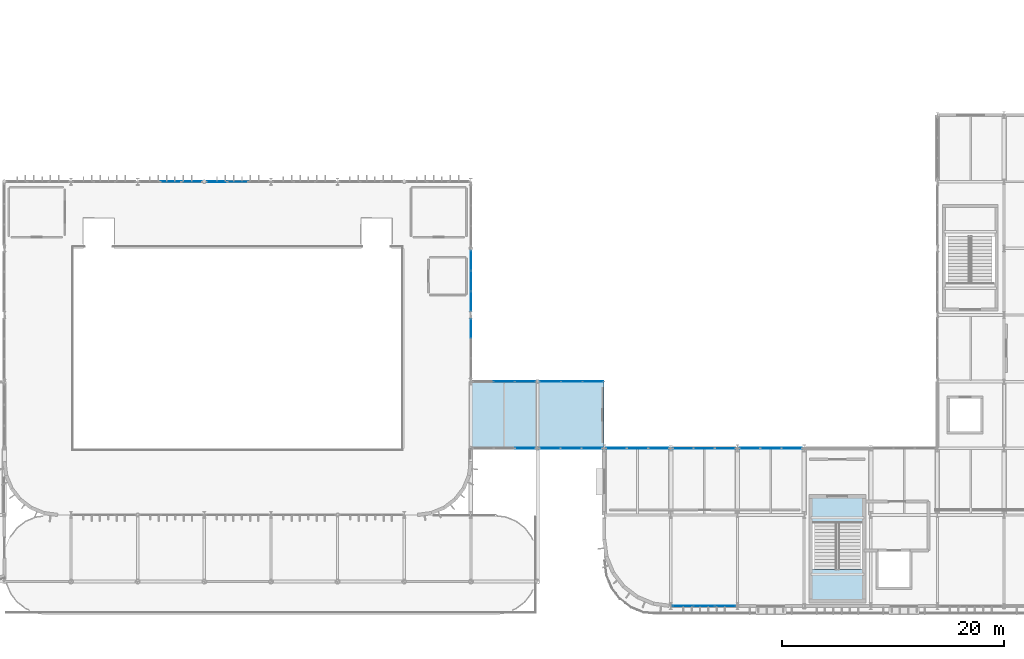
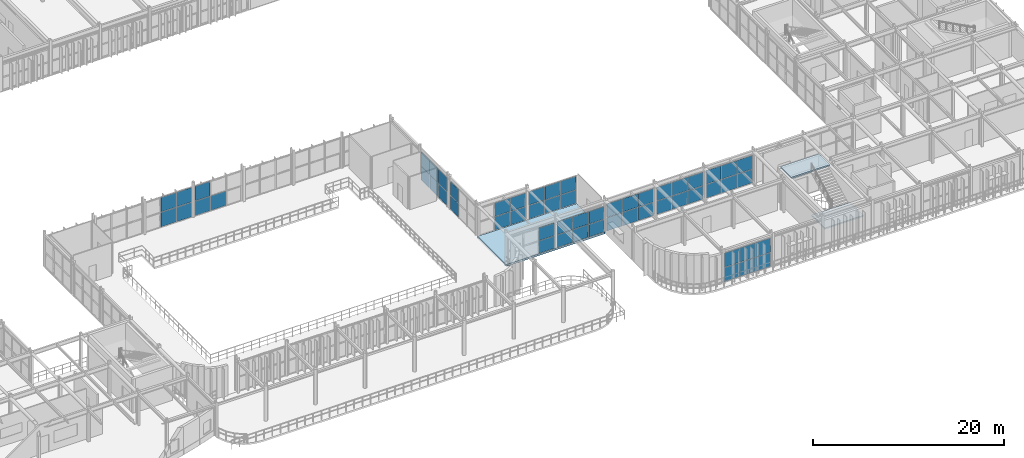
# One storey, part 58 of 96: 57 plates, 3 slabs, 13 elements without a shape of their own.
"""IFC4 building model written with IfcOpenShell, lengths in metres."""

from ifc_helpers import new_model, si_unit, direction, frame, origin, origin_2d, place, context, subcontext, project, spatial, polyline, rectangle, outline, extrude, material, layer, layer_set, type_object, element, aggregate, save


model = new_model("IFC4")

# Units and contexts
model_context = context("Model", 3, precision=1e-05, world=origin(), true_north=direction((0.0, 1.0)))
body_context = subcontext(model_context, "Body", "Model", "MODEL_VIEW")
ifc_project = project(units=[si_unit("LENGTHUNIT", "METRE"), si_unit("AREAUNIT", "SQUARE_METRE"), si_unit("VOLUMEUNIT", "CUBIC_METRE"), si_unit("PLANEANGLEUNIT", "RADIAN"), si_unit("MASSUNIT", "GRAM", prefix="KILO")], contexts=[model_context])

# Site, building, storey
site_placement = place(None, origin())
site = spatial("IfcSite", under=ifc_project, at=site_placement, CompositionType="ELEMENT")
building_placement = place(site_placement, origin())
building = spatial("IfcBuilding", under=site, at=building_placement, Name="Varnakota Square Police Headquarters", CompositionType="ELEMENT")
storey_placement = place(building_placement, frame((0.0, 0.0, 4.800048828125)))
storey = spatial("IfcBuildingStorey", under=building, at=storey_placement, Name="L01", CompositionType="ELEMENT", Elevation=4.800048828125)

# Curtain wall, plates
ifc_material_1 = material(Name="Anodised Aluminium Framing", Category="aluminium")
curtain_wall_type_1 = type_object("IfcCurtainWallType", Name="CW-SYS-B", PredefinedType="NOTDEFINED", material=ifc_material_1)
curtain_wall_1_placement = place(storey_placement, origin())
curtain_wall_1 = element("IfcCurtainWall", 1, at=curtain_wall_1_placement, inside=storey, type_object=curtain_wall_type_1, Name="Unitised curtain wall CWG-L01-023", PredefinedType="NOTDEFINED")
ifc_material_2 = material(Name="Solar-Control Laminated Double Glazing", Category="glass")
ifc_layer_1 = layer(ifc_material_2, 0.028076171875, Name="Solar-Control Laminated Double Glazing")
ifc_layer_set_1 = layer_set([ifc_layer_1], Name="Solar-Control Laminated Double Glazing")
plate_type_1 = type_object("IfcPlateType", Name="CWP-GLZ-28", PredefinedType="CURTAIN_PANEL", material=ifc_layer_set_1)
plate_1_placement = place(storey_placement, frame((68.9814453125, 39.0, 0.06494140625), z_axis=(0.0, 0.0, 1.0), x_axis=(1.0, 0.0, 0.0)))
plate_1 = element("IfcPlate", 2, at=plate_1_placement, type_object=plate_type_1, Name="CWG-L01-023 panel 2.1", PredefinedType="CURTAIN_PANEL", context=body_context, shape_type="SweptSolid", body=[
    extrude(rectangle(XDim=1.8359375, YDim=0.028076171875, at=origin_2d()), origin(), (0.0, 0.0, 1.0), 1.847412109375),
])
plate_2_placement = place(storey_placement, frame((70.866455078125, 39.0, 0.06494140625), z_axis=(0.0, 0.0, 1.0), x_axis=(1.0, 0.0, 0.0)))
plate_2 = element("IfcPlate", 3, at=plate_2_placement, type_object=plate_type_1, Name="CWG-L01-023 panel 3.1", PredefinedType="CURTAIN_PANEL", context=body_context, shape_type="SweptSolid", body=[
    extrude(rectangle(XDim=1.803466796875, YDim=0.028076171875, at=origin_2d()), origin(), (0.0, 0.0, 1.0), 1.847412109375),
])

curtain_wall_2_placement = place(storey_placement, origin())
curtain_wall_2 = element("IfcCurtainWall", 4, at=curtain_wall_2_placement, inside=storey, type_object=curtain_wall_type_1, Name="Unitised curtain wall CWG-L01-055", PredefinedType="NOTDEFINED")
plate_3_placement = place(storey_placement, frame((115.10302734375, 0.800048828125, 0.06494140625), z_axis=(0.0, 0.0, 1.0), x_axis=(1.0, 0.0, 0.0)))
plate_3 = element("IfcPlate", 5, at=plate_3_placement, type_object=plate_type_1, Name="CWG-L01-055 panel 1.1", PredefinedType="CURTAIN_PANEL", context=body_context, shape_type="SweptSolid", body=[
    extrude(rectangle(XDim=1.81591796875, YDim=0.028076171875, at=origin_2d()), origin(), (0.0, 0.0, 1.0), 1.797607421875),
])
plate_4_placement = place(storey_placement, frame((117.0, 0.800048828125, 0.06494140625), z_axis=(0.0, 0.0, 1.0), x_axis=(1.0, 0.0, 0.0)))
plate_4 = element("IfcPlate", 6, at=plate_4_placement, type_object=plate_type_1, Name="CWG-L01-055 panel 2.1", PredefinedType="CURTAIN_PANEL", context=body_context, shape_type="SweptSolid", body=[
    extrude(rectangle(XDim=1.848388671875, YDim=0.028076171875, at=origin_2d()), origin(), (0.0, 0.0, 1.0), 1.797607421875),
])
plate_5_placement = place(storey_placement, frame((118.89697265625, 0.800048828125, 0.06494140625), z_axis=(0.0, 0.0, 1.0), x_axis=(1.0, 0.0, 0.0)))
plate_5 = element("IfcPlate", 7, at=plate_5_placement, type_object=plate_type_1, Name="CWG-L01-055 panel 3.1", PredefinedType="CURTAIN_PANEL", context=body_context, shape_type="SweptSolid", body=[
    extrude(rectangle(XDim=1.81591796875, YDim=0.028076171875, at=origin_2d()), origin(), (0.0, 0.0, 1.0), 1.797607421875),
])

curtain_wall_type_2 = type_object("IfcCurtainWallType", Name="CW-SYS-D", PredefinedType="NOTDEFINED", material=ifc_material_1)
curtain_wall_3_placement = place(storey_placement, origin())
curtain_wall_3 = element("IfcCurtainWall", 8, at=curtain_wall_3_placement, inside=storey, type_object=curtain_wall_type_2, Name="Unitised curtain wall CWG-L01-059", PredefinedType="NOTDEFINED")
plate_6_placement = place(storey_placement, frame((115.10302734375, 15.0, 0.06494140625), z_axis=(0.0, 0.0, 1.0), x_axis=(1.0, 0.0, 0.0)))
plate_6 = element("IfcPlate", 9, at=plate_6_placement, type_object=plate_type_1, Name="CWG-L01-059 panel 1.1", PredefinedType="CURTAIN_PANEL", context=body_context, shape_type="SweptSolid", body=[
    extrude(rectangle(XDim=1.81591796875, YDim=0.028076171875, at=origin_2d()), origin(), (0.0, 0.0, 1.0), 1.697509765625),
])
plate_7_placement = place(storey_placement, frame((117.0, 15.0, 0.06494140625), z_axis=(0.0, 0.0, 1.0), x_axis=(1.0, 0.0, 0.0)))
plate_7 = element("IfcPlate", 10, at=plate_7_placement, type_object=plate_type_1, Name="CWG-L01-059 panel 2.1", PredefinedType="CURTAIN_PANEL", context=body_context, shape_type="SweptSolid", body=[
    extrude(rectangle(XDim=1.848388671875, YDim=0.028076171875, at=origin_2d()), origin(), (0.0, 0.0, 1.0), 1.697509765625),
])
plate_8_placement = place(storey_placement, frame((118.89697265625, 15.0, 0.06494140625), z_axis=(0.0, 0.0, 1.0), x_axis=(1.0, 0.0, 0.0)))
plate_8 = element("IfcPlate", 11, at=plate_8_placement, type_object=plate_type_1, Name="CWG-L01-059 panel 3.1", PredefinedType="CURTAIN_PANEL", context=body_context, shape_type="SweptSolid", body=[
    extrude(rectangle(XDim=1.81591796875, YDim=0.028076171875, at=origin_2d()), origin(), (0.0, 0.0, 1.0), 1.697509765625),
])

curtain_wall_type_3 = type_object("IfcCurtainWallType", Name="CW-SYS-E", PredefinedType="NOTDEFINED", material=ifc_material_1)
curtain_wall_4_placement = place(storey_placement, origin())
curtain_wall_4 = element("IfcCurtainWall", 12, at=curtain_wall_4_placement, inside=storey, type_object=curtain_wall_type_3, Name="Unitised curtain wall CWG-L01-219", PredefinedType="NOTDEFINED")
plate_9_placement = place(storey_placement, frame((103.1455078125, 21.0, 0.06494140625), z_axis=(0.0, 0.0, 1.0), x_axis=(1.0, 0.0, 0.0)))
plate_9 = element("IfcPlate", 13, at=plate_9_placement, type_object=plate_type_1, Name="CWG-L01-219 panel 1.1", PredefinedType="CURTAIN_PANEL", context=body_context, shape_type="SweptSolid", body=[
    extrude(rectangle(XDim=1.850830078125, YDim=0.028076171875, at=origin_2d()), origin(), (0.0, 0.0, 1.0), 1.697509765625),
])
plate_10_placement = place(storey_placement, frame((105.077392578125, 21.0, 0.06494140625), z_axis=(0.0, 0.0, 1.0), x_axis=(1.0, 0.0, 0.0)))
plate_10 = element("IfcPlate", 14, at=plate_10_placement, type_object=plate_type_1, Name="CWG-L01-219 panel 2.1", PredefinedType="CURTAIN_PANEL", context=body_context, shape_type="SweptSolid", body=[
    extrude(rectangle(XDim=1.88330078125, YDim=0.028076171875, at=origin_2d()), origin(), (0.0, 0.0, 1.0), 1.697509765625),
])
plate_11_placement = place(storey_placement, frame((107.009521484375, 21.0, 0.06494140625), z_axis=(0.0, 0.0, 1.0), x_axis=(1.0, 0.0, 0.0)))
plate_11 = element("IfcPlate", 15, at=plate_11_placement, type_object=plate_type_1, Name="CWG-L01-219 panel 3.1", PredefinedType="CURTAIN_PANEL", context=body_context, shape_type="SweptSolid", body=[
    extrude(rectangle(XDim=1.850830078125, YDim=0.028076171875, at=origin_2d()), origin(), (0.0, 0.0, 1.0), 1.697509765625),
])

curtain_wall_5_placement = place(storey_placement, origin())
curtain_wall_5 = element("IfcCurtainWall", 16, at=curtain_wall_5_placement, inside=storey, type_object=curtain_wall_type_1, Name="Unitised curtain wall CWG-L01-024", PredefinedType="NOTDEFINED")
ifc_material_3 = material(Name="Acoustic Laminated Double Glazing", Category="glass")
ifc_layer_2 = layer(ifc_material_3, 0.031982421875, Name="Acoustic Laminated Double Glazing")
ifc_layer_set_2 = layer_set([ifc_layer_2], Name="Acoustic Laminated Double Glazing")
plate_type_2 = type_object("IfcPlateType", Name="CWP-GLZ-32", PredefinedType="CURTAIN_PANEL", material=ifc_layer_set_2)
plate_12_placement = place(storey_placement, frame((73.133544921875, 39.0, 0.06494140625), z_axis=(0.0, 0.0, 1.0), x_axis=(1.0, 0.0, 0.0)))
plate_12 = element("IfcPlate", 17, at=plate_12_placement, type_object=plate_type_2, Name="CWG-L01-024 panel 1.1", PredefinedType="CURTAIN_PANEL", context=body_context, shape_type="SweptSolid", body=[
    extrude(rectangle(XDim=1.803466796875, YDim=0.031982421875, at=origin_2d()), origin(), (0.0, 0.0, 1.0), 1.847412109375),
])
plate_13_placement = place(storey_placement, frame((75.0185546875, 39.0, 0.06494140625), z_axis=(0.0, 0.0, 1.0), x_axis=(1.0, 0.0, 0.0)))
plate_13 = element("IfcPlate", 18, at=plate_13_placement, type_object=plate_type_2, Name="CWG-L01-024 panel 2.1", PredefinedType="CURTAIN_PANEL", context=body_context, shape_type="SweptSolid", body=[
    extrude(rectangle(XDim=1.8359375, YDim=0.031982421875, at=origin_2d()), origin(), (0.0, 0.0, 1.0), 1.847412109375),
])

curtain_wall_6_placement = place(storey_placement, origin())
curtain_wall_6 = element("IfcCurtainWall", 19, at=curtain_wall_6_placement, inside=storey, type_object=curtain_wall_type_1, Name="Unitised curtain wall CWG-L01-032", PredefinedType="NOTDEFINED")
plate_14_placement = place(storey_placement, frame((96.0, 28.24267578125, 0.06494140625), z_axis=(0.0, 0.0, 1.0), x_axis=(0.0, 1.0, 0.0)))
plate_14 = element("IfcPlate", 20, at=plate_14_placement, type_object=plate_type_2, Name="CWG-L01-032 panel 1.1", PredefinedType="CURTAIN_PANEL", context=body_context, shape_type="SweptSolid", body=[
    extrude(rectangle(XDim=1.7451171875, YDim=0.031982421875, at=origin_2d()), origin(), (0.0, 0.0, 1.0), 1.7724609375),
])
plate_15_placement = place(storey_placement, frame((96.0, 30.069091796875, 0.06494140625), z_axis=(0.0, 0.0, 1.0), x_axis=(0.0, 1.0, 0.0)))
plate_15 = element("IfcPlate", 21, at=plate_15_placement, type_object=plate_type_2, Name="CWG-L01-032 panel 2.1", PredefinedType="CURTAIN_PANEL", context=body_context, shape_type="SweptSolid", body=[
    extrude(rectangle(XDim=1.777587890625, YDim=0.031982421875, at=origin_2d()), origin(), (0.0, 0.0, 1.0), 1.7724609375),
])
plate_16_placement = place(storey_placement, frame((96.0, 31.8955078125, 0.06494140625), z_axis=(0.0, 0.0, 1.0), x_axis=(0.0, 1.0, 0.0)))
plate_16 = element("IfcPlate", 22, at=plate_16_placement, type_object=plate_type_2, Name="CWG-L01-032 panel 3.1", PredefinedType="CURTAIN_PANEL", context=body_context, shape_type="SweptSolid", body=[
    extrude(rectangle(XDim=1.7451171875, YDim=0.031982421875, at=origin_2d()), origin(), (0.0, 0.0, 1.0), 1.7724609375),
])

curtain_wall_7_placement = place(storey_placement, origin())
curtain_wall_7 = element("IfcCurtainWall", 23, at=curtain_wall_7_placement, inside=storey, type_object=curtain_wall_type_2, Name="Unitised curtain wall CWG-L01-060", PredefinedType="NOTDEFINED")
plate_17_placement = place(storey_placement, frame((121.10302734375, 15.0, 0.06494140625), z_axis=(0.0, 0.0, 1.0), x_axis=(1.0, 0.0, 0.0)))
plate_17 = element("IfcPlate", 24, at=plate_17_placement, type_object=plate_type_2, Name="CWG-L01-060 panel 1.1", PredefinedType="CURTAIN_PANEL", context=body_context, shape_type="SweptSolid", body=[
    extrude(rectangle(XDim=1.81591796875, YDim=0.031982421875, at=origin_2d()), origin(), (0.0, 0.0, 1.0), 1.722412109375),
])
plate_18_placement = place(storey_placement, frame((123.0, 15.0, 0.06494140625), z_axis=(0.0, 0.0, 1.0), x_axis=(1.0, 0.0, 0.0)))
plate_18 = element("IfcPlate", 25, at=plate_18_placement, type_object=plate_type_2, Name="CWG-L01-060 panel 2.1", PredefinedType="CURTAIN_PANEL", context=body_context, shape_type="SweptSolid", body=[
    extrude(rectangle(XDim=1.848388671875, YDim=0.031982421875, at=origin_2d()), origin(), (0.0, 0.0, 1.0), 1.722412109375),
])
plate_19_placement = place(storey_placement, frame((124.89697265625, 15.0, 0.06494140625), z_axis=(0.0, 0.0, 1.0), x_axis=(1.0, 0.0, 0.0)))
plate_19 = element("IfcPlate", 26, at=plate_19_placement, type_object=plate_type_2, Name="CWG-L01-060 panel 3.1", PredefinedType="CURTAIN_PANEL", context=body_context, shape_type="SweptSolid", body=[
    extrude(rectangle(XDim=1.81591796875, YDim=0.031982421875, at=origin_2d()), origin(), (0.0, 0.0, 1.0), 1.722412109375),
])

# Curtain wall, plate
curtain_wall_8_placement = place(storey_placement, origin())
curtain_wall_8 = element("IfcCurtainWall", 27, at=curtain_wall_8_placement, inside=storey, type_object=curtain_wall_type_3, Name="Unitised curtain wall CWG-L01-216", PredefinedType="NOTDEFINED")
plate_20_placement = place(storey_placement, frame((100.88232421875, 15.0, 0.06494140625), z_axis=(0.0, 0.0, 1.0), x_axis=(1.0, 0.0, 0.0)))
plate_20 = element("IfcPlate", 28, at=plate_20_placement, type_object=plate_type_2, Name="CWG-L01-216 panel 3.1", PredefinedType="CURTAIN_PANEL", context=body_context, shape_type="SweptSolid", body=[
    extrude(rectangle(XDim=1.795166015625, YDim=0.031982421875, at=origin_2d()), origin(), (0.0, 0.0, 1.0), 1.597412109375),
])

# Curtain wall, plates
curtain_wall_9_placement = place(storey_placement, origin())
curtain_wall_9 = element("IfcCurtainWall", 29, at=curtain_wall_9_placement, inside=storey, type_object=curtain_wall_type_3, Name="Unitised curtain wall CWG-L01-217", PredefinedType="NOTDEFINED")
ifc_material_4 = material(Name="Blast-Resistant Laminated Glazing", Category="glass")
ifc_layer_3 = layer(ifc_material_4, 0.035888671875, Name="Blast-Resistant Laminated Glazing")
ifc_layer_set_3 = layer_set([ifc_layer_3], Name="Blast-Resistant Laminated Glazing")
plate_type_3 = type_object("IfcPlateType", Name="CWP-GLZ-36", PredefinedType="CURTAIN_PANEL", material=ifc_layer_set_3)
plate_21_placement = place(storey_placement, frame((98.987548828125, 21.0, 0.06494140625), z_axis=(0.0, 0.0, 1.0), x_axis=(1.0, 0.0, 0.0)))
plate_21 = element("IfcPlate", 30, at=plate_21_placement, type_object=plate_type_3, Name="CWG-L01-217 panel 2.1", PredefinedType="CURTAIN_PANEL", context=body_context, shape_type="SweptSolid", body=[
    extrude(rectangle(XDim=1.840087890625, YDim=0.035888671875, at=origin_2d()), origin(), (0.0, 0.0, 1.0), 1.697509765625),
])
plate_22_placement = place(storey_placement, frame((100.876220703125, 21.0, 0.06494140625), z_axis=(0.0, 0.0, 1.0), x_axis=(1.0, 0.0, 0.0)))
plate_22 = element("IfcPlate", 31, at=plate_22_placement, type_object=plate_type_3, Name="CWG-L01-217 panel 3.1", PredefinedType="CURTAIN_PANEL", context=body_context, shape_type="SweptSolid", body=[
    extrude(rectangle(XDim=1.8076171875, YDim=0.035888671875, at=origin_2d()), origin(), (0.0, 0.0, 1.0), 1.697509765625),
])

# Curtain wall, plate
curtain_wall_10_placement = place(storey_placement, origin())
curtain_wall_10 = element("IfcCurtainWall", 32, at=curtain_wall_10_placement, inside=storey, type_object=curtain_wall_type_1, Name="Unitised curtain wall CWG-L01-030", PredefinedType="NOTDEFINED")
ifc_material_5 = material(Name="Triple-Glazed Clean-Lab Vision Unit", Category="aluminium")
ifc_layer_4 = layer(ifc_material_5, 0.0419921875, Name="Triple-Glazed Clean-Lab Vision Unit")
ifc_layer_set_4 = layer_set([ifc_layer_4], Name="Triple-Glazed Clean-Lab Vision Unit")
plate_type_4 = type_object("IfcPlateType", Name="CWP-GLZ-42", PredefinedType="CURTAIN_PANEL", material=ifc_layer_set_4)
plate_23_placement = place(storey_placement, frame((96.0, 25.780517578125, 0.06494140625), z_axis=(0.0, 0.0, 1.0), x_axis=(0.0, 1.0, 0.0)))
plate_23 = element("IfcPlate", 33, at=plate_23_placement, type_object=plate_type_4, Name="CWG-L01-030 panel 3.1", PredefinedType="CURTAIN_PANEL", context=body_context, shape_type="SweptSolid", body=[
    extrude(rectangle(XDim=1.69921875, YDim=0.0419921875, at=origin_2d()), origin(), (0.0, 0.0, 1.0), 1.74755859375),
])

# Curtain wall, plates
curtain_wall_11_placement = place(storey_placement, origin())
curtain_wall_11 = element("IfcCurtainWall", 34, at=curtain_wall_11_placement, inside=storey, type_object=curtain_wall_type_2, Name="Unitised curtain wall CWG-L01-058", PredefinedType="NOTDEFINED")
plate_24_placement = place(storey_placement, frame((109.10302734375, 15.0, 0.06494140625), z_axis=(0.0, 0.0, 1.0), x_axis=(1.0, 0.0, 0.0)))
plate_24 = element("IfcPlate", 35, at=plate_24_placement, type_object=plate_type_4, Name="CWG-L01-058 panel 1.1", PredefinedType="CURTAIN_PANEL", context=body_context, shape_type="SweptSolid", body=[
    extrude(rectangle(XDim=1.81591796875, YDim=0.0419921875, at=origin_2d()), origin(), (0.0, 0.0, 1.0), 1.697509765625),
])
plate_25_placement = place(storey_placement, frame((111.0, 15.0, 0.06494140625), z_axis=(0.0, 0.0, 1.0), x_axis=(1.0, 0.0, 0.0)))
plate_25 = element("IfcPlate", 36, at=plate_25_placement, type_object=plate_type_4, Name="CWG-L01-058 panel 2.1", PredefinedType="CURTAIN_PANEL", context=body_context, shape_type="SweptSolid", body=[
    extrude(rectangle(XDim=1.848388671875, YDim=0.0419921875, at=origin_2d()), origin(), (0.0, 0.0, 1.0), 1.697509765625),
])
plate_26_placement = place(storey_placement, frame((112.89697265625, 15.0, 0.06494140625), z_axis=(0.0, 0.0, 1.0), x_axis=(1.0, 0.0, 0.0)))
plate_26 = element("IfcPlate", 37, at=plate_26_placement, type_object=plate_type_4, Name="CWG-L01-058 panel 3.1", PredefinedType="CURTAIN_PANEL", context=body_context, shape_type="SweptSolid", body=[
    extrude(rectangle(XDim=1.81591796875, YDim=0.0419921875, at=origin_2d()), origin(), (0.0, 0.0, 1.0), 1.697509765625),
])

curtain_wall_12_placement = place(storey_placement, origin())
curtain_wall_12 = element("IfcCurtainWall", 38, at=curtain_wall_12_placement, inside=storey, type_object=curtain_wall_type_3, Name="Unitised curtain wall CWG-L01-218", PredefinedType="NOTDEFINED")
plate_27_placement = place(storey_placement, frame((103.123779296875, 15.0, 0.06494140625), z_axis=(0.0, 0.0, 1.0), x_axis=(1.0, 0.0, 0.0)))
plate_27 = element("IfcPlate", 39, at=plate_27_placement, type_object=plate_type_4, Name="CWG-L01-218 panel 1.1", PredefinedType="CURTAIN_PANEL", context=body_context, shape_type="SweptSolid", body=[
    extrude(rectangle(XDim=1.8076171875, YDim=0.0419921875, at=origin_2d()), origin(), (0.0, 0.0, 1.0), 1.597412109375),
])
plate_28_placement = place(storey_placement, frame((105.012451171875, 15.0, 0.06494140625), z_axis=(0.0, 0.0, 1.0), x_axis=(1.0, 0.0, 0.0)))
plate_28 = element("IfcPlate", 40, at=plate_28_placement, type_object=plate_type_4, Name="CWG-L01-218 panel 2.1", PredefinedType="CURTAIN_PANEL", context=body_context, shape_type="SweptSolid", body=[
    extrude(rectangle(XDim=1.840087890625, YDim=0.0419921875, at=origin_2d()), origin(), (0.0, 0.0, 1.0), 1.597412109375),
])
plate_29_placement = place(storey_placement, frame((106.9013671875, 15.0, 0.06494140625), z_axis=(0.0, 0.0, 1.0), x_axis=(1.0, 0.0, 0.0)))
plate_29 = element("IfcPlate", 41, at=plate_29_placement, type_object=plate_type_4, Name="CWG-L01-218 panel 3.1", PredefinedType="CURTAIN_PANEL", context=body_context, shape_type="SweptSolid", body=[
    extrude(rectangle(XDim=1.8076171875, YDim=0.0419921875, at=origin_2d()), origin(), (0.0, 0.0, 1.0), 1.597412109375),
])

# Plate
ifc_material_6 = material(Name="Insulated Anodised Aluminium Spandrel Panel", Category="aluminium")
ifc_layer_5 = layer(ifc_material_6, 0.050048828125, Name="Insulated Anodised Aluminium Spandrel Panel")
ifc_layer_set_5 = layer_set([ifc_layer_5], Name="Insulated Anodised Aluminium Spandrel Panel")
plate_type_5 = type_object("IfcPlateType", Name="CWP-SPN-50", PredefinedType="CURTAIN_PANEL", material=ifc_layer_set_5)
plate_30_placement = place(storey_placement, frame((68.9814453125, 39.0, 1.9775390625), z_axis=(0.0, 0.0, 1.0), x_axis=(1.0, 0.0, 0.0)))
plate_30 = element("IfcPlate", 42, at=plate_30_placement, type_object=plate_type_5, Name="CWG-L01-023 panel 2.2", PredefinedType="CURTAIN_PANEL", context=body_context, shape_type="SweptSolid", body=[
    extrude(rectangle(XDim=1.8359375, YDim=0.050048828125, at=origin_2d()), origin(), (0.0, 0.0, 1.0), 1.847412109375),
])

plate_31_placement = place(storey_placement, frame((70.866455078125, 39.0, 1.9775390625), z_axis=(0.0, 0.0, 1.0), x_axis=(1.0, 0.0, 0.0)))
plate_31 = element("IfcPlate", 43, at=plate_31_placement, type_object=plate_type_5, Name="CWG-L01-023 panel 3.2", PredefinedType="CURTAIN_PANEL", context=body_context, shape_type="SweptSolid", body=[
    extrude(rectangle(XDim=1.803466796875, YDim=0.050048828125, at=origin_2d()), origin(), (0.0, 0.0, 1.0), 1.847412109375),
])

aggregate(curtain_wall_1, [plate_1, plate_30, plate_2, plate_31])

plate_32_placement = place(storey_placement, frame((115.10302734375, 0.800048828125, 1.92724609375), z_axis=(0.0, 0.0, 1.0), x_axis=(1.0, 0.0, 0.0)))
plate_32 = element("IfcPlate", 44, at=plate_32_placement, type_object=plate_type_5, Name="CWG-L01-055 panel 1.2", PredefinedType="CURTAIN_PANEL", context=body_context, shape_type="SweptSolid", body=[
    extrude(rectangle(XDim=1.81591796875, YDim=0.050048828125, at=origin_2d()), origin(), (0.0, 0.0, 1.0), 1.797607421875),
])

plate_33_placement = place(storey_placement, frame((117.0, 0.800048828125, 1.92724609375), z_axis=(0.0, 0.0, 1.0), x_axis=(1.0, 0.0, 0.0)))
plate_33 = element("IfcPlate", 45, at=plate_33_placement, type_object=plate_type_5, Name="CWG-L01-055 panel 2.2", PredefinedType="CURTAIN_PANEL", context=body_context, shape_type="SweptSolid", body=[
    extrude(rectangle(XDim=1.848388671875, YDim=0.050048828125, at=origin_2d()), origin(), (0.0, 0.0, 1.0), 1.797607421875),
])

plate_34_placement = place(storey_placement, frame((118.89697265625, 0.800048828125, 1.92724609375), z_axis=(0.0, 0.0, 1.0), x_axis=(1.0, 0.0, 0.0)))
plate_34 = element("IfcPlate", 46, at=plate_34_placement, type_object=plate_type_5, Name="CWG-L01-055 panel 3.2", PredefinedType="CURTAIN_PANEL", context=body_context, shape_type="SweptSolid", body=[
    extrude(rectangle(XDim=1.81591796875, YDim=0.050048828125, at=origin_2d()), origin(), (0.0, 0.0, 1.0), 1.797607421875),
])

aggregate(curtain_wall_2, [plate_3, plate_32, plate_4, plate_33, plate_5, plate_34])

plate_35_placement = place(storey_placement, frame((115.10302734375, 15.0, 1.82763671875), z_axis=(0.0, 0.0, 1.0), x_axis=(1.0, 0.0, 0.0)))
plate_35 = element("IfcPlate", 47, at=plate_35_placement, type_object=plate_type_5, Name="CWG-L01-059 panel 1.2", PredefinedType="CURTAIN_PANEL", context=body_context, shape_type="SweptSolid", body=[
    extrude(rectangle(XDim=1.81591796875, YDim=0.050048828125, at=origin_2d()), origin(), (0.0, 0.0, 1.0), 1.697509765625),
])

plate_36_placement = place(storey_placement, frame((117.0, 15.0, 1.82763671875), z_axis=(0.0, 0.0, 1.0), x_axis=(1.0, 0.0, 0.0)))
plate_36 = element("IfcPlate", 48, at=plate_36_placement, type_object=plate_type_5, Name="CWG-L01-059 panel 2.2", PredefinedType="CURTAIN_PANEL", context=body_context, shape_type="SweptSolid", body=[
    extrude(rectangle(XDim=1.848388671875, YDim=0.050048828125, at=origin_2d()), origin(), (0.0, 0.0, 1.0), 1.697509765625),
])

plate_37_placement = place(storey_placement, frame((118.89697265625, 15.0, 1.82763671875), z_axis=(0.0, 0.0, 1.0), x_axis=(1.0, 0.0, 0.0)))
plate_37 = element("IfcPlate", 49, at=plate_37_placement, type_object=plate_type_5, Name="CWG-L01-059 panel 3.2", PredefinedType="CURTAIN_PANEL", context=body_context, shape_type="SweptSolid", body=[
    extrude(rectangle(XDim=1.81591796875, YDim=0.050048828125, at=origin_2d()), origin(), (0.0, 0.0, 1.0), 1.697509765625),
])

aggregate(curtain_wall_3, [plate_6, plate_35, plate_7, plate_36, plate_8, plate_37])

plate_38_placement = place(storey_placement, frame((98.987548828125, 21.0, 1.82763671875), z_axis=(0.0, 0.0, 1.0), x_axis=(1.0, 0.0, 0.0)))
plate_38 = element("IfcPlate", 50, at=plate_38_placement, type_object=plate_type_5, Name="CWG-L01-217 panel 2.2", PredefinedType="CURTAIN_PANEL", context=body_context, shape_type="SweptSolid", body=[
    extrude(rectangle(XDim=1.840087890625, YDim=0.050048828125, at=origin_2d()), origin(), (0.0, 0.0, 1.0), 1.697509765625),
])

plate_39_placement = place(storey_placement, frame((100.876220703125, 21.0, 1.82763671875), z_axis=(0.0, 0.0, 1.0), x_axis=(1.0, 0.0, 0.0)))
plate_39 = element("IfcPlate", 51, at=plate_39_placement, type_object=plate_type_5, Name="CWG-L01-217 panel 3.2", PredefinedType="CURTAIN_PANEL", context=body_context, shape_type="SweptSolid", body=[
    extrude(rectangle(XDim=1.8076171875, YDim=0.050048828125, at=origin_2d()), origin(), (0.0, 0.0, 1.0), 1.697509765625),
])

aggregate(curtain_wall_9, [plate_21, plate_38, plate_22, plate_39])

plate_40_placement = place(storey_placement, frame((103.1455078125, 21.0, 1.82763671875), z_axis=(0.0, 0.0, 1.0), x_axis=(1.0, 0.0, 0.0)))
plate_40 = element("IfcPlate", 52, at=plate_40_placement, type_object=plate_type_5, Name="CWG-L01-219 panel 1.2", PredefinedType="CURTAIN_PANEL", context=body_context, shape_type="SweptSolid", body=[
    extrude(rectangle(XDim=1.850830078125, YDim=0.050048828125, at=origin_2d()), origin(), (0.0, 0.0, 1.0), 1.697509765625),
])

plate_41_placement = place(storey_placement, frame((105.077392578125, 21.0, 1.82763671875), z_axis=(0.0, 0.0, 1.0), x_axis=(1.0, 0.0, 0.0)))
plate_41 = element("IfcPlate", 53, at=plate_41_placement, type_object=plate_type_5, Name="CWG-L01-219 panel 2.2", PredefinedType="CURTAIN_PANEL", context=body_context, shape_type="SweptSolid", body=[
    extrude(rectangle(XDim=1.88330078125, YDim=0.050048828125, at=origin_2d()), origin(), (0.0, 0.0, 1.0), 1.697509765625),
])

plate_42_placement = place(storey_placement, frame((107.009521484375, 21.0, 1.82763671875), z_axis=(0.0, 0.0, 1.0), x_axis=(1.0, 0.0, 0.0)))
plate_42 = element("IfcPlate", 54, at=plate_42_placement, type_object=plate_type_5, Name="CWG-L01-219 panel 3.2", PredefinedType="CURTAIN_PANEL", context=body_context, shape_type="SweptSolid", body=[
    extrude(rectangle(XDim=1.850830078125, YDim=0.050048828125, at=origin_2d()), origin(), (0.0, 0.0, 1.0), 1.697509765625),
])

aggregate(curtain_wall_4, [plate_9, plate_40, plate_10, plate_41, plate_11, plate_42])

ifc_material_7 = material(Name="Fire-Stopped Mineral-Wool Spandrel Panel", Category="aluminium")
ifc_layer_6 = layer(ifc_material_7, 0.06005859375, Name="Fire-Stopped Mineral-Wool Spandrel Panel")
ifc_layer_set_6 = layer_set([ifc_layer_6], Name="Fire-Stopped Mineral-Wool Spandrel Panel")
plate_type_6 = type_object("IfcPlateType", Name="CWP-SPN-60", PredefinedType="CURTAIN_PANEL", material=ifc_layer_set_6)
plate_43_placement = place(storey_placement, frame((73.133544921875, 39.0, 1.9775390625), z_axis=(0.0, 0.0, 1.0), x_axis=(1.0, 0.0, 0.0)))
plate_43 = element("IfcPlate", 55, at=plate_43_placement, type_object=plate_type_6, Name="CWG-L01-024 panel 1.2", PredefinedType="CURTAIN_PANEL", context=body_context, shape_type="SweptSolid", body=[
    extrude(rectangle(XDim=1.803466796875, YDim=0.06005859375, at=origin_2d()), origin(), (0.0, 0.0, 1.0), 1.847412109375),
])

aggregate(curtain_wall_5, [plate_12, plate_43, plate_13])

plate_44_placement = place(storey_placement, frame((96.0, 25.780517578125, 1.87744140625), z_axis=(0.0, 0.0, 1.0), x_axis=(0.0, 1.0, 0.0)))
plate_44 = element("IfcPlate", 56, at=plate_44_placement, type_object=plate_type_6, Name="CWG-L01-030 panel 3.2", PredefinedType="CURTAIN_PANEL", context=body_context, shape_type="SweptSolid", body=[
    extrude(rectangle(XDim=1.69921875, YDim=0.06005859375, at=origin_2d()), origin(), (0.0, 0.0, 1.0), 1.74755859375),
])

aggregate(curtain_wall_10, [plate_23, plate_44])

plate_45_placement = place(storey_placement, frame((96.0, 28.24267578125, 1.902587890625), z_axis=(0.0, 0.0, 1.0), x_axis=(0.0, 1.0, 0.0)))
plate_45 = element("IfcPlate", 57, at=plate_45_placement, type_object=plate_type_6, Name="CWG-L01-032 panel 1.2", PredefinedType="CURTAIN_PANEL", context=body_context, shape_type="SweptSolid", body=[
    extrude(rectangle(XDim=1.7451171875, YDim=0.06005859375, at=origin_2d()), origin(), (0.0, 0.0, 1.0), 1.7724609375),
])

plate_46_placement = place(storey_placement, frame((96.0, 30.069091796875, 1.902587890625), z_axis=(0.0, 0.0, 1.0), x_axis=(0.0, 1.0, 0.0)))
plate_46 = element("IfcPlate", 58, at=plate_46_placement, type_object=plate_type_6, Name="CWG-L01-032 panel 2.2", PredefinedType="CURTAIN_PANEL", context=body_context, shape_type="SweptSolid", body=[
    extrude(rectangle(XDim=1.777587890625, YDim=0.06005859375, at=origin_2d()), origin(), (0.0, 0.0, 1.0), 1.7724609375),
])

plate_47_placement = place(storey_placement, frame((96.0, 31.8955078125, 1.902587890625), z_axis=(0.0, 0.0, 1.0), x_axis=(0.0, 1.0, 0.0)))
plate_47 = element("IfcPlate", 59, at=plate_47_placement, type_object=plate_type_6, Name="CWG-L01-032 panel 3.2", PredefinedType="CURTAIN_PANEL", context=body_context, shape_type="SweptSolid", body=[
    extrude(rectangle(XDim=1.7451171875, YDim=0.06005859375, at=origin_2d()), origin(), (0.0, 0.0, 1.0), 1.7724609375),
])

aggregate(curtain_wall_6, [plate_14, plate_45, plate_15, plate_46, plate_16, plate_47])

plate_48_placement = place(storey_placement, frame((109.10302734375, 15.0, 1.82763671875), z_axis=(0.0, 0.0, 1.0), x_axis=(1.0, 0.0, 0.0)))
plate_48 = element("IfcPlate", 60, at=plate_48_placement, type_object=plate_type_6, Name="CWG-L01-058 panel 1.2", PredefinedType="CURTAIN_PANEL", context=body_context, shape_type="SweptSolid", body=[
    extrude(rectangle(XDim=1.81591796875, YDim=0.06005859375, at=origin_2d()), origin(), (0.0, 0.0, 1.0), 1.697509765625),
])

plate_49_placement = place(storey_placement, frame((111.0, 15.0, 1.82763671875), z_axis=(0.0, 0.0, 1.0), x_axis=(1.0, 0.0, 0.0)))
plate_49 = element("IfcPlate", 61, at=plate_49_placement, type_object=plate_type_6, Name="CWG-L01-058 panel 2.2", PredefinedType="CURTAIN_PANEL", context=body_context, shape_type="SweptSolid", body=[
    extrude(rectangle(XDim=1.848388671875, YDim=0.06005859375, at=origin_2d()), origin(), (0.0, 0.0, 1.0), 1.697509765625),
])

plate_50_placement = place(storey_placement, frame((112.89697265625, 15.0, 1.82763671875), z_axis=(0.0, 0.0, 1.0), x_axis=(1.0, 0.0, 0.0)))
plate_50 = element("IfcPlate", 62, at=plate_50_placement, type_object=plate_type_6, Name="CWG-L01-058 panel 3.2", PredefinedType="CURTAIN_PANEL", context=body_context, shape_type="SweptSolid", body=[
    extrude(rectangle(XDim=1.81591796875, YDim=0.06005859375, at=origin_2d()), origin(), (0.0, 0.0, 1.0), 1.697509765625),
])

aggregate(curtain_wall_11, [plate_24, plate_48, plate_25, plate_49, plate_26, plate_50])

plate_51_placement = place(storey_placement, frame((121.10302734375, 15.0, 1.8525390625), z_axis=(0.0, 0.0, 1.0), x_axis=(1.0, 0.0, 0.0)))
plate_51 = element("IfcPlate", 63, at=plate_51_placement, type_object=plate_type_6, Name="CWG-L01-060 panel 1.2", PredefinedType="CURTAIN_PANEL", context=body_context, shape_type="SweptSolid", body=[
    extrude(rectangle(XDim=1.81591796875, YDim=0.06005859375, at=origin_2d()), origin(), (0.0, 0.0, 1.0), 1.722412109375),
])

plate_52_placement = place(storey_placement, frame((123.0, 15.0, 1.8525390625), z_axis=(0.0, 0.0, 1.0), x_axis=(1.0, 0.0, 0.0)))
plate_52 = element("IfcPlate", 64, at=plate_52_placement, type_object=plate_type_6, Name="CWG-L01-060 panel 2.2", PredefinedType="CURTAIN_PANEL", context=body_context, shape_type="SweptSolid", body=[
    extrude(rectangle(XDim=1.848388671875, YDim=0.06005859375, at=origin_2d()), origin(), (0.0, 0.0, 1.0), 1.722412109375),
])

plate_53_placement = place(storey_placement, frame((124.89697265625, 15.0, 1.8525390625), z_axis=(0.0, 0.0, 1.0), x_axis=(1.0, 0.0, 0.0)))
plate_53 = element("IfcPlate", 65, at=plate_53_placement, type_object=plate_type_6, Name="CWG-L01-060 panel 3.2", PredefinedType="CURTAIN_PANEL", context=body_context, shape_type="SweptSolid", body=[
    extrude(rectangle(XDim=1.81591796875, YDim=0.06005859375, at=origin_2d()), origin(), (0.0, 0.0, 1.0), 1.722412109375),
])

aggregate(curtain_wall_7, [plate_17, plate_51, plate_18, plate_52, plate_19, plate_53])

plate_54_placement = place(storey_placement, frame((100.88232421875, 15.0, 1.7275390625), z_axis=(0.0, 0.0, 1.0), x_axis=(1.0, 0.0, 0.0)))
plate_54 = element("IfcPlate", 66, at=plate_54_placement, type_object=plate_type_6, Name="CWG-L01-216 panel 3.2", PredefinedType="CURTAIN_PANEL", context=body_context, shape_type="SweptSolid", body=[
    extrude(rectangle(XDim=1.795166015625, YDim=0.06005859375, at=origin_2d()), origin(), (0.0, 0.0, 1.0), 1.597412109375),
])

aggregate(curtain_wall_8, [plate_20, plate_54])

plate_55_placement = place(storey_placement, frame((103.123779296875, 15.0, 1.7275390625), z_axis=(0.0, 0.0, 1.0), x_axis=(1.0, 0.0, 0.0)))
plate_55 = element("IfcPlate", 67, at=plate_55_placement, type_object=plate_type_6, Name="CWG-L01-218 panel 1.2", PredefinedType="CURTAIN_PANEL", context=body_context, shape_type="SweptSolid", body=[
    extrude(rectangle(XDim=1.8076171875, YDim=0.06005859375, at=origin_2d()), origin(), (0.0, 0.0, 1.0), 1.597412109375),
])

plate_56_placement = place(storey_placement, frame((105.012451171875, 15.0, 1.7275390625), z_axis=(0.0, 0.0, 1.0), x_axis=(1.0, 0.0, 0.0)))
plate_56 = element("IfcPlate", 68, at=plate_56_placement, type_object=plate_type_6, Name="CWG-L01-218 panel 2.2", PredefinedType="CURTAIN_PANEL", context=body_context, shape_type="SweptSolid", body=[
    extrude(rectangle(XDim=1.840087890625, YDim=0.06005859375, at=origin_2d()), origin(), (0.0, 0.0, 1.0), 1.597412109375),
])

plate_57_placement = place(storey_placement, frame((106.9013671875, 15.0, 1.7275390625), z_axis=(0.0, 0.0, 1.0), x_axis=(1.0, 0.0, 0.0)))
plate_57 = element("IfcPlate", 69, at=plate_57_placement, type_object=plate_type_6, Name="CWG-L01-218 panel 3.2", PredefinedType="CURTAIN_PANEL", context=body_context, shape_type="SweptSolid", body=[
    extrude(rectangle(XDim=1.8076171875, YDim=0.06005859375, at=origin_2d()), origin(), (0.0, 0.0, 1.0), 1.597412109375),
])

aggregate(curtain_wall_12, [plate_27, plate_55, plate_28, plate_56, plate_29, plate_57])

# Slab
ifc_material_8 = material(Name="Concrete M40", Category="concrete")
ifc_layer_7 = layer(ifc_material_8, 0.219970703125, Name="Concrete M40")
ifc_layer_set_7 = layer_set([ifc_layer_7], Name="Concrete M40")
slab_type_1 = type_object("IfcSlabType", Name="SL-COMP-220", PredefinedType="FLOOR", material=ifc_layer_set_7)
slab_1_placement = place(storey_placement, frame((0.0, 0.0, -0.219970703125)))
element("IfcSlab", 70, at=slab_1_placement, inside=storey, type_object=slab_type_1, Name="L01 East Court Link Bridge", PredefinedType="FLOOR", context=body_context, shape_type="SweptSolid", body=[
    extrude(outline(polyline([(96.0, 15.0), (108.0, 15.0), (108.0, 21.0), (96.0, 21.0), (96.0, 15.0)])), origin(), (0.0, 0.0, 1.0), 0.219970703125),
])

# Stair, slabs
stair_type = type_object("IfcStairType", Name="STR-DOG-2000", PredefinedType="USERDEFINED", material=ifc_material_8)
stair_placement = place(storey_placement, origin())
stair = element("IfcStair", 71, at=stair_placement, inside=storey, type_object=stair_type, Name="Protected exit stair ST1 (L01)", ObjectType="TWO_RETURN_STAIR", PredefinedType="USERDEFINED")
ifc_layer_8 = layer(ifc_material_8, 0.166015625, Name="Concrete M40")
ifc_layer_set_8 = layer_set([ifc_layer_8], Name="Concrete M40")
slab_type_2 = type_object("IfcSlabType", Name="SLB-LND-2000", PredefinedType="LANDING", material=ifc_layer_set_8)
slab_2_placement = place(storey_placement, frame((0.0, 0.0, 2.083984375)))
slab_2 = element("IfcSlab", 72, at=slab_2_placement, type_object=slab_type_2, Name="ST1-L01 landing 1", PredefinedType="LANDING", context=body_context, shape_type="SweptSolid", body=[
    extrude(outline(polyline([(126.659912109375, 1.31005859375), (131.340087890625, 1.31005859375), (131.340087890625, 4.099365234375), (126.659912109375, 4.099365234375), (126.659912109375, 1.31005859375)])), origin(), (0.0, 0.0, 1.0), 0.166015625),
])
slab_3_placement = place(storey_placement, frame((0.0, 0.0, 4.333984375)))
slab_3 = element("IfcSlab", 73, at=slab_3_placement, type_object=slab_type_2, Name="ST1-L01 landing 2", PredefinedType="LANDING", context=body_context, shape_type="SweptSolid", body=[
    extrude(outline(polyline([(126.659912109375, 8.300048828125), (131.340087890625, 8.300048828125), (131.340087890625, 10.590087890625), (126.659912109375, 10.590087890625), (126.659912109375, 8.300048828125)])), origin(), (0.0, 0.0, 1.0), 0.166015625),
])
aggregate(stair, [slab_2, slab_3])

save(model, "model.ifc")
